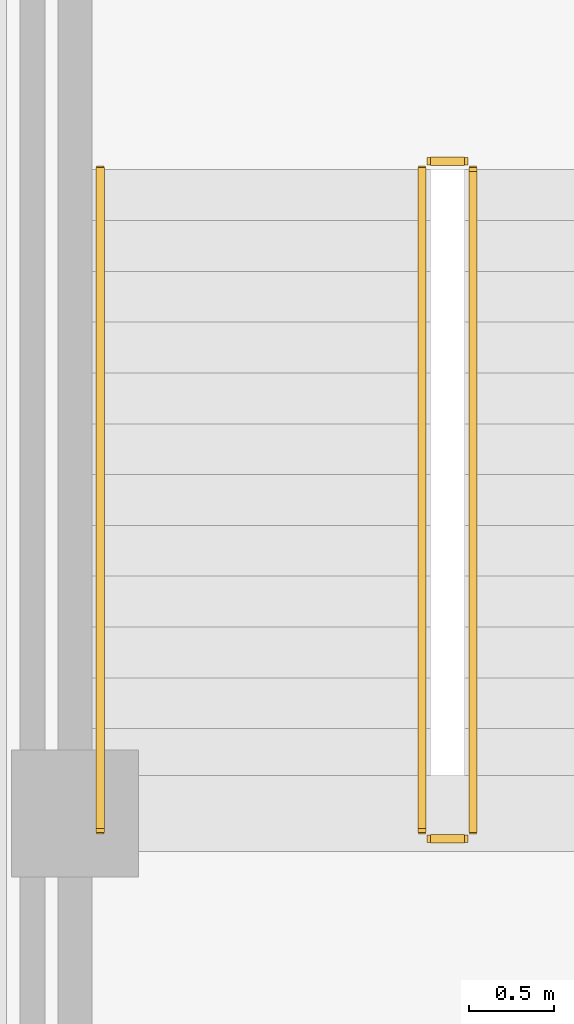
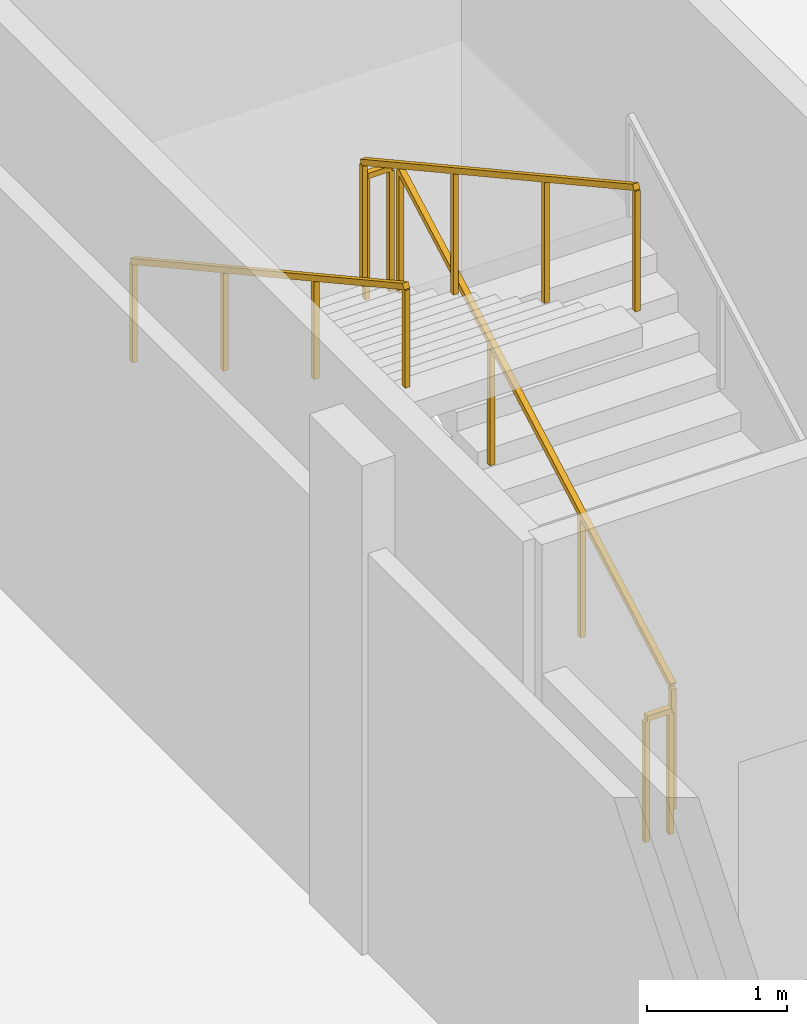
# One storey, part 20 of 27: 5 railings.
"""IFC4 building model written with IfcOpenShell, lengths in metres."""

from ifc_helpers import new_model, si_unit, direction, frame, origin, place, context, subcontext, project, spatial, rectangle, extrude, material, type_object, element, save


model = new_model("IFC4")

# Units and contexts
model_context = context("Model", 3, precision=1e-05, world=origin(), true_north=direction((0.0, 1.0)))
body_context = subcontext(model_context, "Body", "Model", "MODEL_VIEW")
ifc_project = project(units=[si_unit("LENGTHUNIT", "METRE"), si_unit("AREAUNIT", "SQUARE_METRE"), si_unit("VOLUMEUNIT", "CUBIC_METRE"), si_unit("PLANEANGLEUNIT", "RADIAN"), si_unit("MASSUNIT", "GRAM", prefix="KILO")], contexts=[model_context])

# Site, building, storey
site_placement = place(None, origin())
site = spatial("IfcSite", under=ifc_project, at=site_placement, CompositionType="ELEMENT")
building_placement = place(site_placement, origin())
building = spatial("IfcBuilding", under=site, at=building_placement, Name="Tanjung Sevakor Pilgrim Tower", CompositionType="ELEMENT")
storey_placement = place(building_placement, frame((0.0, 0.0, 19.469970703125)))
storey = spatial("IfcBuildingStorey", under=building, at=storey_placement, Name="L05", CompositionType="ELEMENT", Elevation=19.469970703125)

# Railings
ifc_material_1 = material(Name="Steel S355J2", Category="steel")
railing_type_1 = type_object("IfcRailingType", Name="RL-STAIR-GUARD", PredefinedType="GUARDRAIL", material=ifc_material_1)
railing_1_placement = place(storey_placement, frame((68.85009765625, 52.300048828125, 0.1650390625)))
element("IfcRailing", 1, at=railing_1_placement, inside=storey, type_object=railing_type_1, Name="L05 PS-4 stair guard 1", PredefinedType="GUARDRAIL", context=body_context, shape_type="SweptSolid", body=[
    extrude(rectangle(XDim=0.0479, YDim=0.0479), frame((0.0, 0.0, 1.076171875), z_axis=(0.0, 0.876208959939, 0.481931383625), x_axis=(-1.0, 0.0, 0.0)), (0.0, 0.0, 1.0), 4.450927734375),
    extrude(rectangle(XDim=0.042, YDim=0.042), origin(), (0.0, 0.0, 1.0), 1.052001953125),
    extrude(rectangle(XDim=0.042, YDim=0.042), frame((0.0, 1.300048828125, 0.715087890625)), (0.0, 0.0, 1.0), 1.052001953125),
    extrude(rectangle(XDim=0.042, YDim=0.042), frame((0.0, 2.599853515625, 1.429931640625)), (0.0, 0.0, 1.0), 1.052001953125),
    extrude(rectangle(XDim=0.042, YDim=0.042), frame((0.0, 3.89990234375, 2.14501953125)), (0.0, 0.0, 1.0), 1.052001953125),
])
railing_2_placement = place(storey_placement, frame((68.800048828125, 56.25, 2.31005859375)))
element("IfcRailing", 2, at=railing_2_placement, inside=storey, type_object=railing_type_1, Name="L05 PS-4 stair guard 2", PredefinedType="GUARDRAIL", context=body_context, shape_type="SweptSolid", body=[
    extrude(rectangle(XDim=0.0479, YDim=0.0479), frame((0.0, 0.0, 1.076171875), z_axis=(-1.0, 0.0, 0.0), x_axis=(0.0, -1.0, 0.0)), (0.0, 0.0, 1.0), 0.199951171875),
    extrude(rectangle(XDim=0.042, YDim=0.042), origin(), (0.0, 0.0, 1.0), 1.052001953125),
    extrude(rectangle(XDim=0.042, YDim=0.042), frame((-0.199951171875, 0.0, 0.0)), (0.0, 0.0, 1.0), 1.052001953125),
])
railing_3_placement = place(storey_placement, frame((68.550048828125, 56.199951171875, 2.47509765625)))
element("IfcRailing", 3, at=railing_3_placement, inside=storey, type_object=railing_type_1, Name="L05 PS-4 stair guard 3", PredefinedType="GUARDRAIL", context=body_context, shape_type="SweptSolid", body=[
    extrude(rectangle(XDim=0.0479, YDim=0.0479), frame((0.0, 0.0, 1.076171875), z_axis=(0.0, -0.876208959939, 0.481931383625), x_axis=(1.0, 0.0, 0.0)), (0.0, 0.0, 1.0), 4.450927734375),
    extrude(rectangle(XDim=0.042, YDim=0.042), origin(), (0.0, 0.0, 1.0), 1.052001953125),
    extrude(rectangle(XDim=0.042, YDim=0.042), frame((0.0, -1.300048828125, 0.715087890625)), (0.0, 0.0, 1.0), 1.052001953125),
    extrude(rectangle(XDim=0.042, YDim=0.042), frame((0.0, -2.599853515625, 1.429931640625)), (0.0, 0.0, 1.0), 1.052001953125),
    extrude(rectangle(XDim=0.042, YDim=0.042), frame((0.0, -3.89990234375, 2.14501953125)), (0.0, 0.0, 1.0), 1.052001953125),
])
railing_4_placement = place(storey_placement, frame((68.800048828125, 52.25, 0.0)))
element("IfcRailing", 4, at=railing_4_placement, inside=storey, type_object=railing_type_1, Name="L05 PS-4 stair guard 4", PredefinedType="GUARDRAIL", context=body_context, shape_type="SweptSolid", body=[
    extrude(rectangle(XDim=0.0479, YDim=0.0479), frame((0.0, 0.0, 1.076171875), z_axis=(-1.0, 0.0, 0.0), x_axis=(0.0, -1.0, 0.0)), (0.0, 0.0, 1.0), 0.199951171875),
    extrude(rectangle(XDim=0.042, YDim=0.042), origin(), (0.0, 0.0, 1.0), 1.052001953125),
    extrude(rectangle(XDim=0.042, YDim=0.042), frame((-0.199951171875, 0.0, 0.0)), (0.0, 0.0, 1.0), 1.052001953125),
])
ifc_material_2 = material(Name="Steel S355J2", Category="steel")
railing_type_2 = type_object("IfcRailingType", Name="RL-STAIR-HAND", PredefinedType="HANDRAIL", material=ifc_material_2)
railing_5_placement = place(storey_placement, frame((66.64990234375, 56.199951171875, 2.47509765625)))
element("IfcRailing", 5, at=railing_5_placement, inside=storey, type_object=railing_type_2, Name="L05 PS-4 stair handrail 2", PredefinedType="HANDRAIL", context=body_context, shape_type="SweptSolid", body=[
    extrude(rectangle(XDim=0.0479, YDim=0.0479), frame((0.0, 0.0, 0.8759765625), z_axis=(0.0, -0.876208959939, 0.481931383625), x_axis=(1.0, 0.0, 0.0)), (0.0, 0.0, 1.0), 4.450927734375),
    extrude(rectangle(XDim=0.042, YDim=0.042), origin(), (0.0, 0.0, 1.0), 0.851806640625),
    extrude(rectangle(XDim=0.042, YDim=0.042), frame((0.0, -1.300048828125, 0.715087890625)), (0.0, 0.0, 1.0), 0.851806640625),
    extrude(rectangle(XDim=0.042, YDim=0.042), frame((0.0, -2.599853515625, 1.429931640625)), (0.0, 0.0, 1.0), 0.851806640625),
    extrude(rectangle(XDim=0.042, YDim=0.042), frame((0.0, -3.89990234375, 2.14501953125)), (0.0, 0.0, 1.0), 0.851806640625),
])

save(model, "model.ifc")
